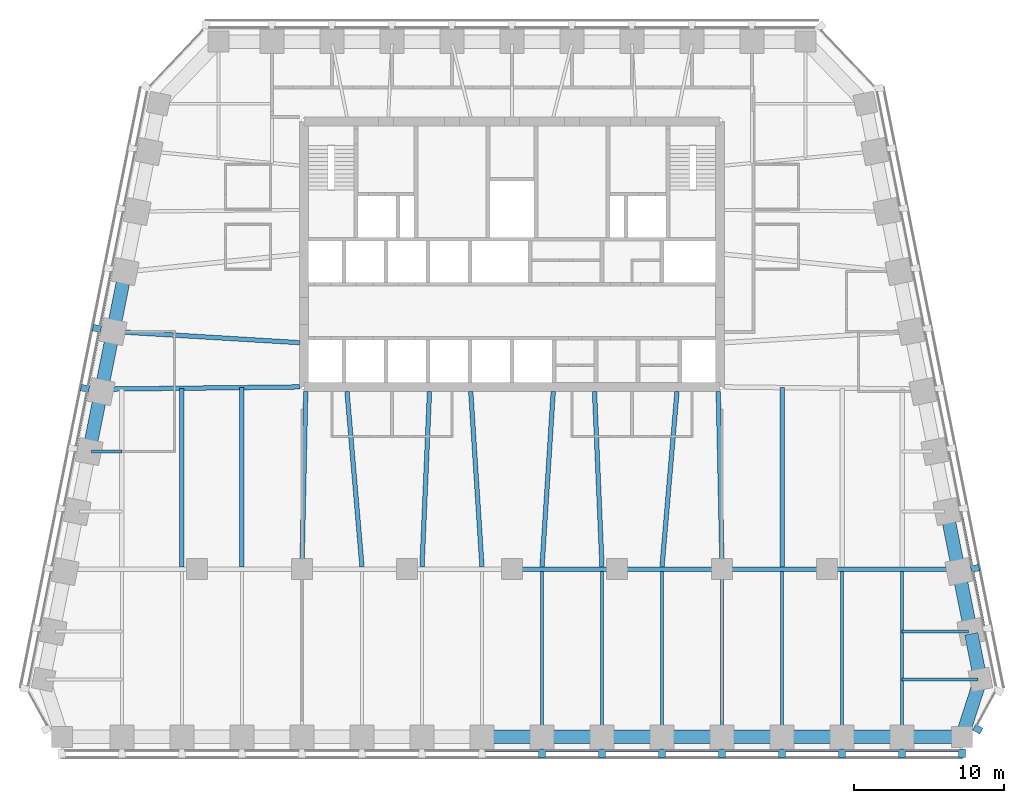
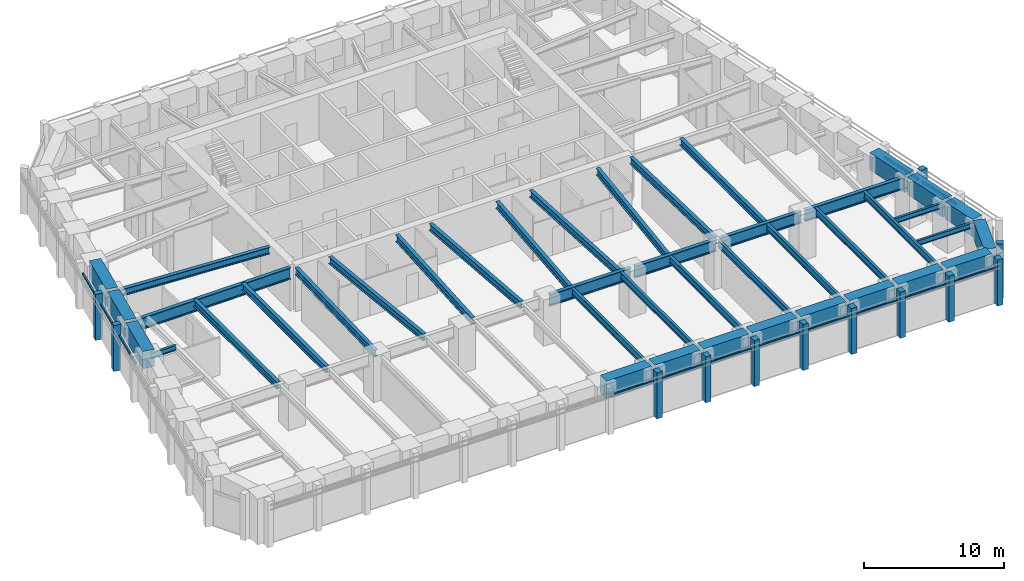
# One storey, part 2 of 10: 42 beams, 25 members, 4 elements without a shape of their own.
"""IFC4 building model written with IfcOpenShell, lengths in metres."""

from ifc_helpers import new_model, si_unit, direction, frame, origin, origin_2d, place, context, subcontext, project, spatial, rectangle, i_section, extrude, material, material_profile, profile_set, type_object, element, aggregate, save


model = new_model("IFC4")

# Units and contexts
model_context = context("Model", 3, precision=1e-05, world=origin(), true_north=direction((0.0, 1.0)))
body_context = subcontext(model_context, "Body", "Model", "MODEL_VIEW")
ifc_project = project(units=[si_unit("LENGTHUNIT", "METRE"), si_unit("AREAUNIT", "SQUARE_METRE"), si_unit("VOLUMEUNIT", "CUBIC_METRE"), si_unit("PLANEANGLEUNIT", "RADIAN"), si_unit("MASSUNIT", "GRAM", prefix="KILO")], contexts=[model_context])

# Site, building, storey
site_placement = place(None, origin())
site = spatial("IfcSite", under=ifc_project, at=site_placement, CompositionType="ELEMENT")
building_placement = place(site_placement, origin())
building = spatial("IfcBuilding", under=site, at=building_placement, Name="Isbrekke Arena Tower", CompositionType="ELEMENT")
storey_placement = place(building_placement, frame((0.0, 0.0, 222.0)))
storey = spatial("IfcBuildingStorey", under=building, at=storey_placement, Name="L51", CompositionType="ELEMENT", Elevation=222.0)

# Beams
ifc_material_1 = material(Name="Steel S355", Category="steel")
ifc_material_profile_1 = material_profile(ifc_material_1, i_section(OverallWidth=0.219970703125, OverallDepth=0.60009765625, WebThickness=0.011962890625, FlangeThickness=0.01904296875, FilletRadius=0.02392578125, at=origin_2d()), Name="IPE 600")
ifc_profile_set_1 = profile_set([ifc_material_profile_1], Name="Steel S355")
beam_type_1 = type_object("IfcBeamType", Name="B1 IPE 600", PredefinedType="BEAM", material=ifc_profile_set_1)
for number, where, z_axis, x_axis, name in (
    (1, (2.0, -17.02490234375, 3.550048828125), (0.0, 1.0, 0.0), (-1.0, 0.0, 0.0), "B1 beam S-S09 L51"),
    (2, (6.0, -17.02490234375, 3.550048828125), (0.0, 1.0, 0.0), (-1.0, 0.0, 0.0), "B1 beam S-S10 L51"),
    (3, (10.0, -17.02490234375, 3.550048828125), (0.0, 1.0, 0.0), (-1.0, 0.0, 0.0), "B1 beam S-S11 L51"),
):
    element("IfcBeam", number, at=place(storey_placement, frame(where, z_axis=z_axis, x_axis=x_axis)), inside=storey, type_object=beam_type_1, Name=name, PredefinedType="BEAM", context=body_context, shape_type="SweptSolid", body=[
        extrude(i_section(OverallWidth=0.219970703125, OverallDepth=0.60009765625, WebThickness=0.011962890625, FlangeThickness=0.01904296875, FilletRadius=0.02392578125, at=origin_2d()), origin(), (0.0, 0.0, 1.0), 10.8740234375),
    ])
beam_1_placement = place(storey_placement, frame((14.0, -17.02490234375, 3.550048828125), z_axis=(0.0, 1.0, 0.0), x_axis=(-1.0, 0.0, 0.0)))
element("IfcBeam", 4, at=beam_1_placement, inside=storey, type_object=beam_type_1, Name="B1 beam S-S12 L51", PredefinedType="BEAM", context=body_context, shape_type="SweptSolid", body=[
    extrude(i_section(OverallWidth=0.219970703125, OverallDepth=0.60009765625, WebThickness=0.011962890625, FlangeThickness=0.01904296875, FilletRadius=0.02392578125, at=origin_2d()), origin(), (0.0, 0.0, 1.0), 10.875),
])
for number, where, z_axis, x_axis, name in (
    (5, (18.0, -17.02490234375, 3.550048828125), (0.0, 1.0, 0.0), (-1.0, 0.0, 0.0), "B1 beam S-S13 L51"),
    (6, (22.0, -17.02490234375, 3.550048828125), (0.0, 1.0, 0.0), (-1.0, 0.0, 0.0), "B1 beam S-S14 L51"),
    (7, (26.0, -17.02490234375, 3.550048828125), (0.0, 1.0, 0.0), (-1.0, 0.0, 0.0), "B1 beam S-S15 L51"),
):
    element("IfcBeam", number, at=place(storey_placement, frame(where, z_axis=z_axis, x_axis=x_axis)), inside=storey, type_object=beam_type_1, Name=name, PredefinedType="BEAM", context=body_context, shape_type="SweptSolid", body=[
        extrude(i_section(OverallWidth=0.219970703125, OverallDepth=0.60009765625, WebThickness=0.011962890625, FlangeThickness=0.01904296875, FilletRadius=0.02392578125, at=origin_2d()), origin(), (0.0, 0.0, 1.0), 10.8740234375),
    ])
ifc_material_2 = material(Name="Steel S355", Category="steel")
ifc_material_profile_2 = material_profile(ifc_material_2, i_section(OverallWidth=0.18994140625, OverallDepth=0.449951171875, WebThickness=0.009521484375, FlangeThickness=0.0146484375, FilletRadius=0.02099609375, at=origin_2d()), Name="IPE 450")
ifc_profile_set_2 = profile_set([ifc_material_profile_2], Name="Steel S355")
beam_type_2 = type_object("IfcBeamType", Name="B2 IPE 450", PredefinedType="BEAM", material=ifc_profile_set_2)
beam_2_placement = place(storey_placement, frame((31.079345703125, -13.352783203125, 3.625), z_axis=(-1.0, 0.0, 0.0), x_axis=(0.0, -1.0, 0.0)))
element("IfcBeam", 8, at=beam_2_placement, inside=storey, type_object=beam_type_2, Name="B2 beam E-E01 L51", PredefinedType="BEAM", context=body_context, shape_type="SweptSolid", body=[
    extrude(i_section(OverallWidth=0.18994140625, OverallDepth=0.449951171875, WebThickness=0.009521484375, FlangeThickness=0.0146484375, FilletRadius=0.02099609375, at=origin_2d()), origin(), (0.0, 0.0, 1.0), 5.079345703125),
])
beam_3_placement = place(storey_placement, frame((30.44091796875, -10.161865234375, 3.625), z_axis=(-1.0, 0.0, 0.0), x_axis=(0.0, -1.0, 0.0)))
element("IfcBeam", 9, at=beam_3_placement, inside=storey, type_object=beam_type_2, Name="B2 beam E-E02 L51", PredefinedType="BEAM", context=body_context, shape_type="SweptSolid", body=[
    extrude(i_section(OverallWidth=0.18994140625, OverallDepth=0.449951171875, WebThickness=0.009521484375, FlangeThickness=0.0146484375, FilletRadius=0.02099609375, at=origin_2d()), origin(), (0.0, 0.0, 1.0), 4.44091796875),
])
beam_4_placement = place(storey_placement, frame((-28.041015625, 1.838134765625, 3.625), z_axis=(1.0, 0.0, 0.0), x_axis=(0.0, 1.0, 0.0)))
element("IfcBeam", 10, at=beam_4_placement, inside=storey, type_object=beam_type_2, Name="B2 beam E-W07 L51", PredefinedType="BEAM", context=body_context, shape_type="SweptSolid", body=[
    extrude(i_section(OverallWidth=0.18994140625, OverallDepth=0.449951171875, WebThickness=0.009521484375, FlangeThickness=0.0146484375, FilletRadius=0.02099609375, at=origin_2d()), origin(), (0.0, 0.0, 1.0), 2.041015625),
])
ifc_material_3 = material(Name="Steel S355", Category="steel")
ifc_material_profile_3 = material_profile(ifc_material_3, i_section(OverallWidth=0.300048828125, OverallDepth=0.60009765625, WebThickness=0.015380859375, FlangeThickness=0.030029296875, FilletRadius=0.027099609375, at=origin_2d()), Name="HEB 600")
ifc_profile_set_3 = profile_set([ifc_material_profile_3], Name="Steel S355")
beam_type_3 = type_object("IfcBeamType", Name="B7 HEB 600", PredefinedType="BEAM", material=ifc_profile_set_3)
beam_5_placement = place(storey_placement, frame((-22.0, -5.84912109375, 3.550048828125), z_axis=(0.0, 1.0, 0.0), x_axis=(-1.0, 0.0, 0.0)))
element("IfcBeam", 11, at=beam_5_placement, inside=storey, type_object=beam_type_3, Name="B7 beam C-M02 L51", PredefinedType="BEAM", context=body_context, shape_type="SweptSolid", body=[
    extrude(i_section(OverallWidth=0.300048828125, OverallDepth=0.60009765625, WebThickness=0.015380859375, FlangeThickness=0.030029296875, FilletRadius=0.027099609375, at=origin_2d()), origin(), (0.0, 0.0, 1.0), 11.91015625),
])
beam_6_placement = place(storey_placement, frame((-18.0, -5.84912109375, 3.550048828125), z_axis=(0.0, 1.0, 0.0), x_axis=(-1.0, 0.0, 0.0)))
element("IfcBeam", 12, at=beam_6_placement, inside=storey, type_object=beam_type_3, Name="B7 beam C-M03 L51", PredefinedType="BEAM", context=body_context, shape_type="SweptSolid", body=[
    extrude(i_section(OverallWidth=0.300048828125, OverallDepth=0.60009765625, WebThickness=0.015380859375, FlangeThickness=0.030029296875, FilletRadius=0.027099609375, at=origin_2d()), origin(), (0.0, 0.0, 1.0), 11.95556640625),
])
beam_7_placement = place(storey_placement, frame((-14.0, -5.8466796875, 3.550048828125), z_axis=(0.021368528218, 0.999771666933, 0.0), x_axis=(-0.999771666933, 0.021368528218, 0.0)))
element("IfcBeam", 13, at=beam_7_placement, inside=storey, type_object=beam_type_3, Name="B7 beam C-M04 L51", PredefinedType="BEAM", context=body_context, shape_type="SweptSolid", body=[
    extrude(i_section(OverallWidth=0.300048828125, OverallDepth=0.60009765625, WebThickness=0.015380859375, FlangeThickness=0.030029296875, FilletRadius=0.027099609375, at=origin_2d()), origin(), (0.0, 0.0, 1.0), 11.699462890625),
])
beam_8_placement = place(storey_placement, frame((-10.0009765625, -5.836181640625, 3.550048828125), z_axis=(-0.085176202372, 0.996365903948, 0.0), x_axis=(-0.996365903948, -0.085176202372, 0.0)))
element("IfcBeam", 14, at=beam_8_placement, inside=storey, type_object=beam_type_3, Name="B7 beam C-M05 L51", PredefinedType="BEAM", context=body_context, shape_type="SweptSolid", body=[
    extrude(i_section(OverallWidth=0.300048828125, OverallDepth=0.60009765625, WebThickness=0.015380859375, FlangeThickness=0.030029296875, FilletRadius=0.027099609375, at=origin_2d()), origin(), (0.0, 0.0, 1.0), 11.72900390625),
])
beam_9_placement = place(storey_placement, frame((-5.999755859375, -5.842529296875, 3.550048828125), z_axis=(0.042702124015, 0.999087848292, 0.0), x_axis=(-0.999087848292, 0.042702124015, 0.0)))
element("IfcBeam", 15, at=beam_9_placement, inside=storey, type_object=beam_type_3, Name="B7 beam C-M06 L51", PredefinedType="BEAM", context=body_context, shape_type="SweptSolid", body=[
    extrude(i_section(OverallWidth=0.300048828125, OverallDepth=0.60009765625, WebThickness=0.015380859375, FlangeThickness=0.030029296875, FilletRadius=0.027099609375, at=origin_2d()), origin(), (0.0, 0.0, 1.0), 11.703369140625),
])
for number, where, z_axis, x_axis, name in (
    (16, (-2.000732421875, -5.83935546875, 3.550048828125), (-0.063966475255, 0.997952047968, 0.0), (-0.997952047968, -0.063966475255, 0.0), "B7 beam C-M07 L51"),
    (17, (2.000732421875, -5.83935546875, 3.550048828125), (0.063966475255, 0.997952047968, 0.0), (-0.997952047968, 0.063966475255, 0.0), "B7 beam C-M08 L51"),
):
    element("IfcBeam", number, at=place(storey_placement, frame(where, z_axis=z_axis, x_axis=x_axis)), inside=storey, type_object=beam_type_3, Name=name, PredefinedType="BEAM", context=body_context, shape_type="SweptSolid", body=[
        extrude(i_section(OverallWidth=0.300048828125, OverallDepth=0.60009765625, WebThickness=0.015380859375, FlangeThickness=0.030029296875, FilletRadius=0.027099609375, at=origin_2d()), origin(), (0.0, 0.0, 1.0), 11.71337890625),
    ])
beam_10_placement = place(storey_placement, frame((5.999755859375, -5.842529296875, 3.550048828125), z_axis=(-0.042702124015, 0.999087848292, 0.0), x_axis=(-0.999087848292, -0.042702124015, 0.0)))
element("IfcBeam", 18, at=beam_10_placement, inside=storey, type_object=beam_type_3, Name="B7 beam C-M09 L51", PredefinedType="BEAM", context=body_context, shape_type="SweptSolid", body=[
    extrude(i_section(OverallWidth=0.300048828125, OverallDepth=0.60009765625, WebThickness=0.015380859375, FlangeThickness=0.030029296875, FilletRadius=0.027099609375, at=origin_2d()), origin(), (0.0, 0.0, 1.0), 11.703369140625),
])
beam_11_placement = place(storey_placement, frame((10.0009765625, -5.836181640625, 3.550048828125), z_axis=(0.085176202372, 0.996365903948, 0.0), x_axis=(-0.996365903948, 0.085176202372, 0.0)))
element("IfcBeam", 19, at=beam_11_placement, inside=storey, type_object=beam_type_3, Name="B7 beam C-M10 L51", PredefinedType="BEAM", context=body_context, shape_type="SweptSolid", body=[
    extrude(i_section(OverallWidth=0.300048828125, OverallDepth=0.60009765625, WebThickness=0.015380859375, FlangeThickness=0.030029296875, FilletRadius=0.027099609375, at=origin_2d()), origin(), (0.0, 0.0, 1.0), 11.72900390625),
])
beam_12_placement = place(storey_placement, frame((14.0, -5.8466796875, 3.550048828125), z_axis=(-0.021368528218, 0.999771666933, 0.0), x_axis=(-0.999771666933, -0.021368528218, 0.0)))
element("IfcBeam", 20, at=beam_12_placement, inside=storey, type_object=beam_type_3, Name="B7 beam C-M11 L51", PredefinedType="BEAM", context=body_context, shape_type="SweptSolid", body=[
    extrude(i_section(OverallWidth=0.300048828125, OverallDepth=0.60009765625, WebThickness=0.015380859375, FlangeThickness=0.030029296875, FilletRadius=0.027099609375, at=origin_2d()), origin(), (0.0, 0.0, 1.0), 11.699462890625),
])
beam_13_placement = place(storey_placement, frame((18.0, -5.84912109375, 3.550048828125), z_axis=(0.0, 1.0, 0.0), x_axis=(-1.0, 0.0, 0.0)))
element("IfcBeam", 21, at=beam_13_placement, inside=storey, type_object=beam_type_3, Name="B7 beam C-M12 L51", PredefinedType="BEAM", context=body_context, shape_type="SweptSolid", body=[
    extrude(i_section(OverallWidth=0.300048828125, OverallDepth=0.60009765625, WebThickness=0.015380859375, FlangeThickness=0.030029296875, FilletRadius=0.027099609375, at=origin_2d()), origin(), (0.0, 0.0, 1.0), 11.95556640625),
])
beam_14_placement = place(storey_placement, frame((-26.43212890625, 9.837646484375, 3.550048828125), z_axis=(0.998201854902, -0.059942112659, 0.0), x_axis=(0.059942112659, 0.998201854902, 0.0)))
element("IfcBeam", 22, at=beam_14_placement, inside=storey, type_object=beam_type_3, Name="B7 beam E-W05 L51", PredefinedType="BEAM", context=body_context, shape_type="SweptSolid", body=[
    extrude(i_section(OverallWidth=0.300048828125, OverallDepth=0.60009765625, WebThickness=0.015380859375, FlangeThickness=0.030029296875, FilletRadius=0.027099609375, at=origin_2d()), origin(), (0.0, 0.0, 1.0), 12.304443359375),
])

# Curtain wall, members
ifc_material_4 = material(Name="Glazed aluminium curtain wall", Category="aluminium")
curtain_wall_type = type_object("IfcCurtainWallType", Name="CWH TOWER CURTAIN WALL HIGH ZONE", PredefinedType="USERDEFINED", material=ifc_material_4)
curtain_wall_1_placement = place(storey_placement, origin())
curtain_wall_1 = element("IfcCurtainWall", 23, at=curtain_wall_1_placement, inside=storey, type_object=curtain_wall_type, Name="CWH curtain wall L51-S", ObjectType="TOWER CURTAIN WALL HIGH ZONE", PredefinedType="USERDEFINED")
ifc_material_5 = material(Name="Aluminium mullion, pale brick slip cladding", Category="masonry")
ifc_material_profile_4 = material_profile(ifc_material_5, rectangle(XDim=0.449951171875, YDim=0.550048828125, at=origin_2d()), Name="PIER 450X550")
ifc_profile_set_4 = profile_set([ifc_material_profile_4], Name="Aluminium mullion, pale brick slip cladding")
member_type_1 = type_object("IfcMemberType", Name="CWH-M PIER MULLION 450 x 550", PredefinedType="MULLION", material=ifc_profile_set_4)
member_1_placement = place(storey_placement, frame((2.0, -18.27490234375, 0.0), z_axis=(0.0, 0.0, 1.0), x_axis=(1.0, 0.0, 0.0)))
member_1 = element("IfcMember", 24, at=member_1_placement, type_object=member_type_1, Name="CWH-M mullion 9", PredefinedType="MULLION", context=body_context, shape_type="SweptSolid", body=[
    extrude(rectangle(XDim=0.449951171875, YDim=0.550048828125, at=origin_2d()), origin(), (0.0, 0.0, 1.0), 4.0),
])
member_2_placement = place(storey_placement, frame((6.0, -18.27490234375, 0.0), z_axis=(0.0, 0.0, 1.0), x_axis=(1.0, 0.0, 0.0)))
member_2 = element("IfcMember", 25, at=member_2_placement, type_object=member_type_1, Name="CWH-M mullion 10", PredefinedType="MULLION", context=body_context, shape_type="SweptSolid", body=[
    extrude(rectangle(XDim=0.449951171875, YDim=0.550048828125, at=origin_2d()), origin(), (0.0, 0.0, 1.0), 4.0),
])
member_3_placement = place(storey_placement, frame((10.0, -18.27490234375, 0.0), z_axis=(0.0, 0.0, 1.0), x_axis=(1.0, 0.0, 0.0)))
member_3 = element("IfcMember", 26, at=member_3_placement, type_object=member_type_1, Name="CWH-M mullion 11", PredefinedType="MULLION", context=body_context, shape_type="SweptSolid", body=[
    extrude(rectangle(XDim=0.449951171875, YDim=0.550048828125, at=origin_2d()), origin(), (0.0, 0.0, 1.0), 4.0),
])
member_4_placement = place(storey_placement, frame((14.0, -18.27490234375, 0.0), z_axis=(0.0, 0.0, 1.0), x_axis=(1.0, 0.0, 0.0)))
member_4 = element("IfcMember", 27, at=member_4_placement, type_object=member_type_1, Name="CWH-M mullion 12", PredefinedType="MULLION", context=body_context, shape_type="SweptSolid", body=[
    extrude(rectangle(XDim=0.449951171875, YDim=0.550048828125, at=origin_2d()), origin(), (0.0, 0.0, 1.0), 4.0),
])
member_5_placement = place(storey_placement, frame((18.0, -18.27490234375, 0.0), z_axis=(0.0, 0.0, 1.0), x_axis=(1.0, 0.0, 0.0)))
member_5 = element("IfcMember", 28, at=member_5_placement, type_object=member_type_1, Name="CWH-M mullion 13", PredefinedType="MULLION", context=body_context, shape_type="SweptSolid", body=[
    extrude(rectangle(XDim=0.449951171875, YDim=0.550048828125, at=origin_2d()), origin(), (0.0, 0.0, 1.0), 4.0),
])
member_6_placement = place(storey_placement, frame((22.0, -18.27490234375, 0.0), z_axis=(0.0, 0.0, 1.0), x_axis=(1.0, 0.0, 0.0)))
member_6 = element("IfcMember", 29, at=member_6_placement, type_object=member_type_1, Name="CWH-M mullion 14", PredefinedType="MULLION", context=body_context, shape_type="SweptSolid", body=[
    extrude(rectangle(XDim=0.449951171875, YDim=0.550048828125, at=origin_2d()), origin(), (0.0, 0.0, 1.0), 4.0),
])
member_7_placement = place(storey_placement, frame((26.0, -18.27490234375, 0.0), z_axis=(0.0, 0.0, 1.0), x_axis=(1.0, 0.0, 0.0)))
member_7 = element("IfcMember", 30, at=member_7_placement, type_object=member_type_1, Name="CWH-M mullion 15", PredefinedType="MULLION", context=body_context, shape_type="SweptSolid", body=[
    extrude(rectangle(XDim=0.449951171875, YDim=0.550048828125, at=origin_2d()), origin(), (0.0, 0.0, 1.0), 4.0),
])
member_8_placement = place(storey_placement, frame((30.0, -18.27490234375, 0.0), z_axis=(0.0, 0.0, 1.0), x_axis=(1.0, 0.0, 0.0)))
member_8 = element("IfcMember", 31, at=member_8_placement, type_object=member_type_1, Name="CWH-M mullion 16", PredefinedType="MULLION", context=body_context, shape_type="SweptSolid", body=[
    extrude(rectangle(XDim=0.449951171875, YDim=0.550048828125, at=origin_2d()), origin(), (0.0, 0.0, 1.0), 4.0),
])

# Curtain wall, member
curtain_wall_2_placement = place(storey_placement, origin())
curtain_wall_2 = element("IfcCurtainWall", 32, at=curtain_wall_2_placement, inside=storey, type_object=curtain_wall_type, Name="CWH curtain wall L51-SE", ObjectType="TOWER CURTAIN WALL HIGH ZONE", PredefinedType="USERDEFINED")
member_9_placement = place(storey_placement, frame((31.047119140625, -16.666748046875, 0.0), z_axis=(0.0, 0.0, 1.0), x_axis=(0.481918749773, 0.876215908676, 0.0)))
member_9 = element("IfcMember", 33, at=member_9_placement, type_object=member_type_1, Name="CWH-M mullion 1", PredefinedType="MULLION", context=body_context, shape_type="SweptSolid", body=[
    extrude(rectangle(XDim=0.449951171875, YDim=0.550048828125, at=origin_2d()), origin(), (0.0, 0.0, 1.0), 4.0),
])
aggregate(curtain_wall_2, [member_9])

curtain_wall_3_placement = place(storey_placement, origin())
curtain_wall_3 = element("IfcCurtainWall", 34, at=curtain_wall_3_placement, inside=storey, type_object=curtain_wall_type, Name="CWH curtain wall L51-E", ObjectType="TOWER CURTAIN WALL HIGH ZONE", PredefinedType="USERDEFINED")
member_10_placement = place(storey_placement, frame((30.86962890625, -5.946044921875, 0.0), z_axis=(0.0, 0.0, 1.0), x_axis=(-0.196116135138, 0.980580675691, 0.0)))
member_10 = element("IfcMember", 35, at=member_10_placement, type_object=member_type_1, Name="CWH-M mullion 2", PredefinedType="MULLION", context=body_context, shape_type="SweptSolid", body=[
    extrude(rectangle(XDim=0.449951171875, YDim=0.550048828125, at=origin_2d()), origin(), (0.0, 0.0, 1.0), 4.0),
])

# Curtain wall, members
curtain_wall_4_placement = place(storey_placement, origin())
curtain_wall_4 = element("IfcCurtainWall", 36, at=curtain_wall_4_placement, inside=storey, type_object=curtain_wall_type, Name="CWH curtain wall L51-W", ObjectType="TOWER CURTAIN WALL HIGH ZONE", PredefinedType="USERDEFINED")
member_11_placement = place(storey_placement, frame((-27.669677734375, 10.053955078125, 0.0), z_axis=(0.0, 0.0, 1.0), x_axis=(-0.196116135138, -0.980580675691, 0.0)))
member_11 = element("IfcMember", 37, at=member_11_placement, type_object=member_type_1, Name="CWH-M mullion 4", PredefinedType="MULLION", context=body_context, shape_type="SweptSolid", body=[
    extrude(rectangle(XDim=0.449951171875, YDim=0.550048828125, at=origin_2d()), origin(), (0.0, 0.0, 1.0), 4.0),
])
member_12_placement = place(storey_placement, frame((-28.4697265625, 6.053955078125, 0.0), z_axis=(0.0, 0.0, 1.0), x_axis=(-0.196116135138, -0.980580675691, 0.0)))
member_12 = element("IfcMember", 38, at=member_12_placement, type_object=member_type_1, Name="CWH-M mullion 5", PredefinedType="MULLION", context=body_context, shape_type="SweptSolid", body=[
    extrude(rectangle(XDim=0.449951171875, YDim=0.550048828125, at=origin_2d()), origin(), (0.0, 0.0, 1.0), 4.0),
])

# Member
ifc_material_6 = material(Name="Aluminium transom", Category="aluminium")
ifc_material_profile_5 = material_profile(ifc_material_6, rectangle(XDim=0.1201171875, YDim=0.199951171875, at=origin_2d()), Name="TRANSOM 120X200")
ifc_profile_set_5 = profile_set([ifc_material_profile_5], Name="Aluminium transom")
member_type_2 = type_object("IfcMemberType", Name="CWH-T TRANSOM 120 x 200", PredefinedType="USERDEFINED", material=ifc_profile_set_5)
member_13_placement = place(storey_placement, frame((-1.77490234375, -18.10009765625, 3.0), z_axis=(1.0, 0.0, 0.0), x_axis=(0.0, 1.0, 0.0)))
member_13 = element("IfcMember", 39, at=member_13_placement, type_object=member_type_2, Name="CWH-T transom 8", ObjectType="TRANSOM", PredefinedType="USERDEFINED", context=body_context, shape_type="SweptSolid", body=[
    extrude(rectangle(XDim=0.1201171875, YDim=0.199951171875, at=origin_2d()), origin(), (0.0, 0.0, 1.0), 3.5498046875),
])

member_14_placement = place(storey_placement, frame((2.22509765625, -18.10009765625, 3.0), z_axis=(1.0, 0.0, 0.0), x_axis=(0.0, 1.0, 0.0)))
member_14 = element("IfcMember", 40, at=member_14_placement, type_object=member_type_2, Name="CWH-T transom 9", ObjectType="TRANSOM", PredefinedType="USERDEFINED", context=body_context, shape_type="SweptSolid", body=[
    extrude(rectangle(XDim=0.1201171875, YDim=0.199951171875, at=origin_2d()), origin(), (0.0, 0.0, 1.0), 3.5498046875),
])

member_15_placement = place(storey_placement, frame((6.22509765625, -18.10009765625, 3.0), z_axis=(1.0, 0.0, 0.0), x_axis=(0.0, 1.0, 0.0)))
member_15 = element("IfcMember", 41, at=member_15_placement, type_object=member_type_2, Name="CWH-T transom 10", ObjectType="TRANSOM", PredefinedType="USERDEFINED", context=body_context, shape_type="SweptSolid", body=[
    extrude(rectangle(XDim=0.1201171875, YDim=0.199951171875, at=origin_2d()), origin(), (0.0, 0.0, 1.0), 3.5498046875),
])

member_16_placement = place(storey_placement, frame((10.22509765625, -18.10009765625, 3.0), z_axis=(1.0, 0.0, 0.0), x_axis=(0.0, 1.0, 0.0)))
member_16 = element("IfcMember", 42, at=member_16_placement, type_object=member_type_2, Name="CWH-T transom 11", ObjectType="TRANSOM", PredefinedType="USERDEFINED", context=body_context, shape_type="SweptSolid", body=[
    extrude(rectangle(XDim=0.1201171875, YDim=0.199951171875, at=origin_2d()), origin(), (0.0, 0.0, 1.0), 3.5498046875),
])

member_17_placement = place(storey_placement, frame((14.22509765625, -18.10009765625, 3.0), z_axis=(1.0, 0.0, 0.0), x_axis=(0.0, 1.0, 0.0)))
member_17 = element("IfcMember", 43, at=member_17_placement, type_object=member_type_2, Name="CWH-T transom 12", ObjectType="TRANSOM", PredefinedType="USERDEFINED", context=body_context, shape_type="SweptSolid", body=[
    extrude(rectangle(XDim=0.1201171875, YDim=0.199951171875, at=origin_2d()), origin(), (0.0, 0.0, 1.0), 3.5498046875),
])

member_18_placement = place(storey_placement, frame((18.22509765625, -18.10009765625, 3.0), z_axis=(1.0, 0.0, 0.0), x_axis=(0.0, 1.0, 0.0)))
member_18 = element("IfcMember", 44, at=member_18_placement, type_object=member_type_2, Name="CWH-T transom 13", ObjectType="TRANSOM", PredefinedType="USERDEFINED", context=body_context, shape_type="SweptSolid", body=[
    extrude(rectangle(XDim=0.1201171875, YDim=0.199951171875, at=origin_2d()), origin(), (0.0, 0.0, 1.0), 3.5498046875),
])

member_19_placement = place(storey_placement, frame((22.22509765625, -18.10009765625, 3.0), z_axis=(1.0, 0.0, 0.0), x_axis=(0.0, 1.0, 0.0)))
member_19 = element("IfcMember", 45, at=member_19_placement, type_object=member_type_2, Name="CWH-T transom 14", ObjectType="TRANSOM", PredefinedType="USERDEFINED", context=body_context, shape_type="SweptSolid", body=[
    extrude(rectangle(XDim=0.1201171875, YDim=0.199951171875, at=origin_2d()), origin(), (0.0, 0.0, 1.0), 3.5498046875),
])

member_20_placement = place(storey_placement, frame((26.22509765625, -18.10009765625, 3.0), z_axis=(1.0, 0.0, 0.0), x_axis=(0.0, 1.0, 0.0)))
member_20 = element("IfcMember", 46, at=member_20_placement, type_object=member_type_2, Name="CWH-T transom 15", ObjectType="TRANSOM", PredefinedType="USERDEFINED", context=body_context, shape_type="SweptSolid", body=[
    extrude(rectangle(XDim=0.1201171875, YDim=0.199951171875, at=origin_2d()), origin(), (0.0, 0.0, 1.0), 3.5498046875),
])

aggregate(curtain_wall_1, [member_1, member_2, member_3, member_4, member_5, member_6, member_7, member_8, member_13, member_14, member_15, member_16, member_17, member_18, member_19, member_20])

member_21_placement = place(storey_placement, frame((31.453857421875, -9.759765625, 3.0), z_axis=(-0.196090262229, 0.980585849918, 0.0), x_axis=(-0.980585849918, -0.196090262229, 0.0)))
member_21 = element("IfcMember", 47, at=member_21_placement, type_object=member_type_2, Name="CWH-T transom 2", ObjectType="TRANSOM", PredefinedType="USERDEFINED", context=body_context, shape_type="SweptSolid", body=[
    extrude(rectangle(XDim=0.1201171875, YDim=0.199951171875, at=origin_2d()), origin(), (0.0, 0.0, 1.0), 3.62939453125),
])

member_22_placement = place(storey_placement, frame((30.654052734375, -5.759765625, 3.0), z_axis=(-0.196154943734, 0.980572913173, 0.0), x_axis=(-0.980572913173, -0.196154943734, 0.0)))
member_22 = element("IfcMember", 48, at=member_22_placement, type_object=member_type_2, Name="CWH-T transom 3", ObjectType="TRANSOM", PredefinedType="USERDEFINED", context=body_context, shape_type="SweptSolid", body=[
    extrude(rectangle(XDim=0.1201171875, YDim=0.199951171875, at=origin_2d()), origin(), (0.0, 0.0, 1.0), 3.62939453125),
])

aggregate(curtain_wall_3, [member_10, member_21, member_22])

member_23_placement = place(storey_placement, frame((-26.7421875, 13.799072265625, 3.0), z_axis=(-0.196090262229, -0.980585849918, 0.0), x_axis=(0.980585849918, -0.196090262229, 0.0)))
member_23 = element("IfcMember", 49, at=member_23_placement, type_object=member_type_2, Name="CWH-T transom 4", ObjectType="TRANSOM", PredefinedType="USERDEFINED", context=body_context, shape_type="SweptSolid", body=[
    extrude(rectangle(XDim=0.1201171875, YDim=0.199951171875, at=origin_2d()), origin(), (0.0, 0.0, 1.0), 3.62939453125),
])

member_24_placement = place(storey_placement, frame((-27.542236328125, 9.799072265625, 3.0), z_axis=(-0.196090262229, -0.980585849918, 0.0), x_axis=(0.980585849918, -0.196090262229, 0.0)))
member_24 = element("IfcMember", 50, at=member_24_placement, type_object=member_type_2, Name="CWH-T transom 5", ObjectType="TRANSOM", PredefinedType="USERDEFINED", context=body_context, shape_type="SweptSolid", body=[
    extrude(rectangle(XDim=0.1201171875, YDim=0.199951171875, at=origin_2d()), origin(), (0.0, 0.0, 1.0), 3.62939453125),
])

member_25_placement = place(storey_placement, frame((-28.34228515625, 5.799072265625, 3.0), z_axis=(-0.196090262229, -0.980585849918, 0.0), x_axis=(0.980585849918, -0.196090262229, 0.0)))
member_25 = element("IfcMember", 51, at=member_25_placement, type_object=member_type_2, Name="CWH-T transom 6", ObjectType="TRANSOM", PredefinedType="USERDEFINED", context=body_context, shape_type="SweptSolid", body=[
    extrude(rectangle(XDim=0.1201171875, YDim=0.199951171875, at=origin_2d()), origin(), (0.0, 0.0, 1.0), 3.62939453125),
])

aggregate(curtain_wall_4, [member_11, member_12, member_23, member_24, member_25])

# Beams
ifc_material_7 = material(Name="Steel S355", Category="steel")
ifc_material_profile_6 = material_profile(ifc_material_7, i_section(OverallWidth=0.302001953125, OverallDepth=1.008056640625, WebThickness=0.02099609375, FlangeThickness=0.0400390625, FilletRadius=0.030029296875, at=origin_2d()), Name="HEM 1000")
ifc_profile_set_6 = profile_set([ifc_material_profile_6], Name="Steel S355")
beam_type_4 = type_object("IfcBeamType", Name="G1 HEM 1000", PredefinedType="BEAM", material=ifc_profile_set_6)
for number, where, z_axis, x_axis, name in (
    (52, (0.14990234375, -6.0, 3.345947265625), (1.0, 0.0, 0.0), (0.0, 1.0, 0.0), "G1 beam G1-05 L51"),
    (53, (7.14990234375, -6.0, 3.345947265625), (1.0, 0.0, 0.0), (0.0, 1.0, 0.0), "G1 beam G1-06 L51"),
    (54, (14.14990234375, -6.0, 3.345947265625), (1.0, 0.0, 0.0), (0.0, 1.0, 0.0), "G1 beam G1-07 L51"),
):
    element("IfcBeam", number, at=place(storey_placement, frame(where, z_axis=z_axis, x_axis=x_axis)), inside=storey, type_object=beam_type_4, Name=name, PredefinedType="BEAM", context=body_context, shape_type="SweptSolid", body=[
        extrude(i_section(OverallWidth=0.302001953125, OverallDepth=1.008056640625, WebThickness=0.02099609375, FlangeThickness=0.0400390625, FilletRadius=0.030029296875, at=origin_2d()), origin(), (0.0, 0.0, 1.0), 6.7001953125),
    ])
beam_15_placement = place(storey_placement, frame((21.14990234375, -6.0, 3.345947265625), z_axis=(1.0, 0.0, 0.0), x_axis=(0.0, 1.0, 0.0)))
element("IfcBeam", 55, at=beam_15_placement, inside=storey, type_object=beam_type_4, Name="G1 beam G1-08 L51", PredefinedType="BEAM", context=body_context, shape_type="SweptSolid", body=[
    extrude(i_section(OverallWidth=0.302001953125, OverallDepth=1.008056640625, WebThickness=0.02099609375, FlangeThickness=0.0400390625, FilletRadius=0.030029296875, at=origin_2d()), origin(), (0.0, 0.0, 1.0), 8.64111328125),
])
ifc_material_8 = material(Name="Steel S355", Category="steel")
ifc_material_profile_7 = material_profile(ifc_material_8, i_section(OverallWidth=0.302001953125, OverallDepth=1.008056640625, WebThickness=0.02099609375, FlangeThickness=0.0400390625, FilletRadius=0.030029296875, at=origin_2d()), Name="HEM 1000")
ifc_profile_set_7 = profile_set([ifc_material_profile_7], Name="Steel S355")
beam_type_5 = type_object("IfcBeamType", Name="G2 HEM 1000", PredefinedType="BEAM", material=ifc_profile_set_7)
beam_16_placement = place(storey_placement, frame((-14.14990234375, 6.14990234375, 3.345947265625), z_axis=(-0.999935908299, -0.011321629528, 0.0), x_axis=(0.011321629528, -0.999935908299, 0.0)))
element("IfcBeam", 56, at=beam_16_placement, inside=storey, type_object=beam_type_5, Name="G2 beam G2-W L51", PredefinedType="BEAM", context=body_context, shape_type="SweptSolid", body=[
    extrude(i_section(OverallWidth=0.302001953125, OverallDepth=1.008056640625, WebThickness=0.02099609375, FlangeThickness=0.0400390625, FilletRadius=0.030029296875, at=origin_2d()), origin(), (0.0, 0.0, 1.0), 13.240234375),
])
ifc_material_9 = material(Name="Concrete B65 (C65/80)", Category="concrete")
ifc_material_profile_8 = material_profile(ifc_material_9, rectangle(XDim=0.89990234375, YDim=1.5, at=origin_2d()), Name="RC 900x1500")
ifc_profile_set_8 = profile_set([ifc_material_profile_8], Name="Concrete B65 (C65/80)")
beam_type_6 = type_object("IfcBeamType", Name="SB3 RC 900 x 1500", PredefinedType="SPANDREL", material=ifc_profile_set_8)
for number, where, z_axis, x_axis, name in (
    (57, (-1.85009765625, -17.175048828125, 3.25), (1.0, 0.0, 0.0), (0.0, 1.0, 0.0), "SB3 spandrel S08-S09 L51"),
    (58, (2.14990234375, -17.175048828125, 3.25), (1.0, 0.0, 0.0), (0.0, 1.0, 0.0), "SB3 spandrel S09-S10 L51"),
    (59, (6.14990234375, -17.175048828125, 3.25), (1.0, 0.0, 0.0), (0.0, 1.0, 0.0), "SB3 spandrel S10-S11 L51"),
    (60, (10.14990234375, -17.175048828125, 3.25), (1.0, 0.0, 0.0), (0.0, 1.0, 0.0), "SB3 spandrel S11-S12 L51"),
    (61, (14.14990234375, -17.175048828125, 3.25), (1.0, 0.0, 0.0), (0.0, 1.0, 0.0), "SB3 spandrel S12-S13 L51"),
    (62, (18.14990234375, -17.175048828125, 3.25), (1.0, 0.0, 0.0), (0.0, 1.0, 0.0), "SB3 spandrel S13-S14 L51"),
    (63, (22.14990234375, -17.175048828125, 3.25), (1.0, 0.0, 0.0), (0.0, 1.0, 0.0), "SB3 spandrel S14-S15 L51"),
    (64, (26.14990234375, -17.175048828125, 3.25), (1.0, 0.0, 0.0), (0.0, 1.0, 0.0), "SB3 spandrel S15-S16 L51"),
):
    element("IfcBeam", number, at=place(storey_placement, frame(where, z_axis=z_axis, x_axis=x_axis)), inside=storey, type_object=beam_type_6, Name=name, PredefinedType="SPANDREL", context=body_context, shape_type="SweptSolid", body=[
        extrude(rectangle(XDim=0.89990234375, YDim=1.5, at=origin_2d()), origin(), (0.0, 0.0, 1.0), 3.7001953125),
    ])
beam_17_placement = place(storey_placement, frame((30.0458984375, -17.0322265625, 3.25), z_axis=(0.306175101476, 0.951975213562, 0.0), x_axis=(-0.951975213562, 0.306175101476, 0.0)))
element("IfcBeam", 65, at=beam_17_placement, inside=storey, type_object=beam_type_6, Name="SB3 spandrel S16-E01 L51", PredefinedType="SPANDREL", context=body_context, shape_type="SweptSolid", body=[
    extrude(rectangle(XDim=0.89990234375, YDim=1.5, at=origin_2d()), origin(), (0.0, 0.0, 1.0), 3.715087890625),
])
beam_18_placement = place(storey_placement, frame((31.19970703125, -13.205810546875, 3.25), z_axis=(-0.196100243168, 0.980583853951, 0.0), x_axis=(-0.980583853951, -0.196100243168, 0.0)))
element("IfcBeam", 66, at=beam_18_placement, inside=storey, type_object=beam_type_6, Name="SB3 spandrel E01-E02 L51", PredefinedType="SPANDREL", context=body_context, shape_type="SweptSolid", body=[
    extrude(rectangle(XDim=0.89990234375, YDim=1.5, at=origin_2d()), origin(), (0.0, 0.0, 1.0), 2.954345703125),
])
beam_19_placement = place(storey_placement, frame((30.5615234375, -10.0146484375, 3.25), z_axis=(-0.1960664412, 0.980590613169, 0.0), x_axis=(-0.980590613169, -0.1960664412, 0.0)))
element("IfcBeam", 67, at=beam_19_placement, inside=storey, type_object=beam_type_6, Name="SB3 spandrel E02-E03 L51", PredefinedType="SPANDREL", context=body_context, shape_type="SweptSolid", body=[
    extrude(rectangle(XDim=0.89990234375, YDim=1.5, at=origin_2d()), origin(), (0.0, 0.0, 1.0), 3.779052734375),
])
beam_20_placement = place(storey_placement, frame((29.76171875, -6.0146484375, 3.25), z_axis=(-0.196128558387, 0.980578190959, 0.0), x_axis=(-0.980578190959, -0.196128558387, 0.0)))
element("IfcBeam", 68, at=beam_20_placement, inside=storey, type_object=beam_type_6, Name="SB3 spandrel E03-E04 L51", PredefinedType="SPANDREL", context=body_context, shape_type="SweptSolid", body=[
    extrude(rectangle(XDim=0.89990234375, YDim=1.5, at=origin_2d()), origin(), (0.0, 0.0, 1.0), 3.779296875),
])
beam_21_placement = place(storey_placement, frame((-25.820556640625, 13.691162109375, 3.25), z_axis=(-0.1960664412, -0.980590613169, 0.0), x_axis=(0.980590613169, -0.1960664412, 0.0)))
element("IfcBeam", 69, at=beam_21_placement, inside=storey, type_object=beam_type_6, Name="SB3 spandrel W04-W05 L51", PredefinedType="SPANDREL", context=body_context, shape_type="SweptSolid", body=[
    extrude(rectangle(XDim=0.89990234375, YDim=1.5, at=origin_2d()), origin(), (0.0, 0.0, 1.0), 3.779052734375),
])
for number, where, z_axis, x_axis, name in (
    (70, (-26.620361328125, 9.691162109375, 3.25), (-0.196128558387, -0.980578190959, 0.0), (0.980578190959, -0.196128558387, 0.0), "SB3 spandrel W05-W06 L51"),
    (71, (-27.42041015625, 5.691162109375, 3.25), (-0.196128558387, -0.980578190959, 0.0), (0.980578190959, -0.196128558387, 0.0), "SB3 spandrel W06-W07 L51"),
):
    element("IfcBeam", number, at=place(storey_placement, frame(where, z_axis=z_axis, x_axis=x_axis)), inside=storey, type_object=beam_type_6, Name=name, PredefinedType="SPANDREL", context=body_context, shape_type="SweptSolid", body=[
        extrude(rectangle(XDim=0.89990234375, YDim=1.5, at=origin_2d()), origin(), (0.0, 0.0, 1.0), 3.779296875),
    ])

save(model, "model.ifc")
